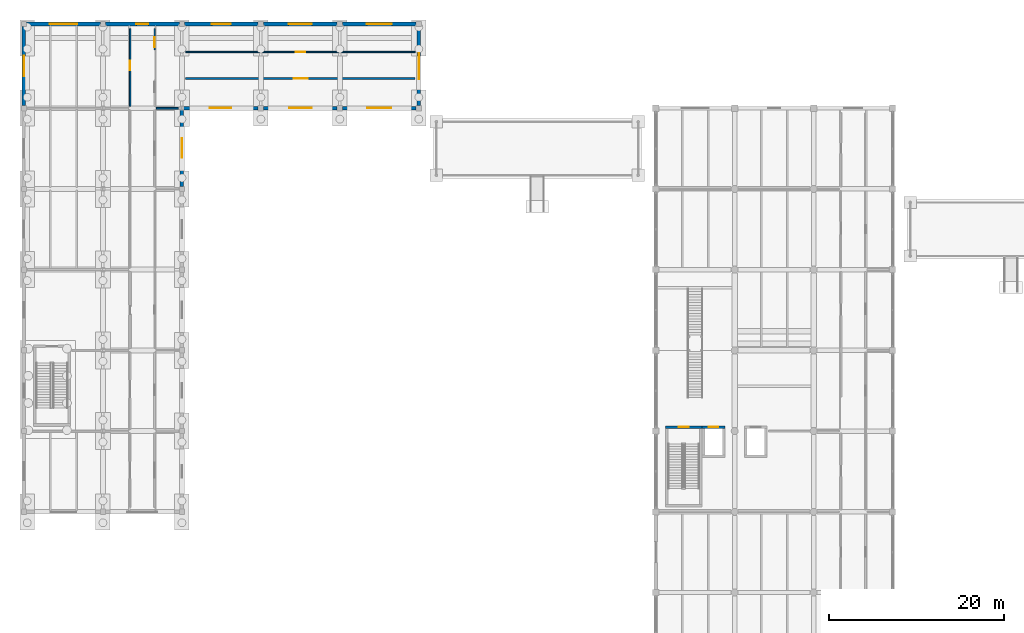
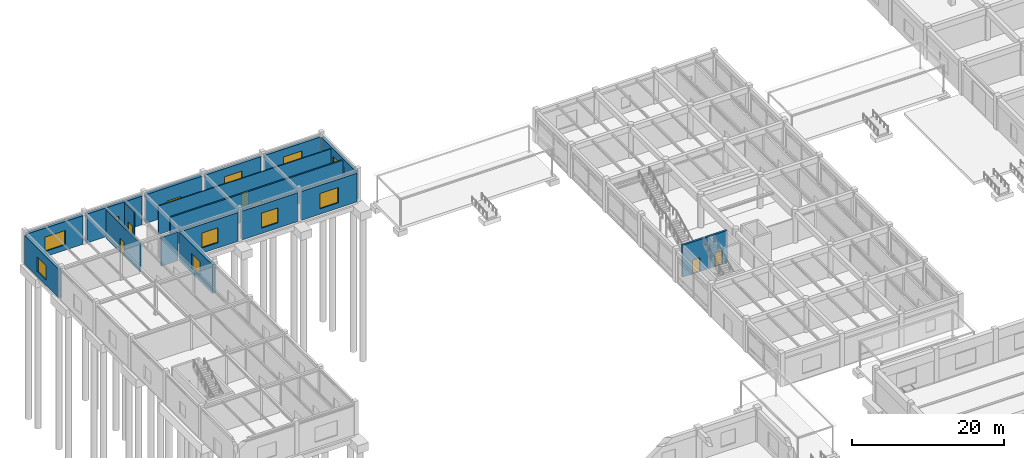
# One storey, part 59 of 76: 18 walls, 10 windows, 7 doors, 17 openings.
"""IFC4 building model written with IfcOpenShell, lengths in metres."""

import ifcopenshell
import ifcopenshell.guid

model = None  # the IFC model being written
_history = None  # IfcOwnerHistory: only IFC2X3 demands one
_inside = {}  # id of a spatial element -> (the spatial element, [elements in it])
_under = {}  # id of a project, library or spatial element -> (it, [spatial elements below it])
_declared = {}  # id of a project -> (the project, [libraries it declares])
_typed = {}  # id of a type object -> (the type object, [elements of that type])
_made_of = {}  # id of a material, layer set ... -> (it, [elements and type objects made of it])


def new_model(schema):
    """Start an empty IFC model of exactly this schema.

    Asked for "IFC4X3", IfcOpenShell would pick the latest addendum, in which some entities
    have other attributes; the version numbers below select the first issue.
    IFC2X3 requires an IfcOwnerHistory on every rooted entity: one is made here for all.
    """
    global model, _history
    if schema == "IFC4X3":
        model = ifcopenshell.file(schema_version=(4, 3, 0, 0))
    else:
        model = ifcopenshell.file(schema=schema)
    _inside.clear()
    _under.clear()
    _declared.clear()
    _typed.clear()
    _made_of.clear()
    _history = None
    if model.schema == "IFC2X3":
        org = make("IfcOrganization", Name="unknown")
        user = make(
            "IfcPersonAndOrganization",
            ThePerson=make("IfcPerson", FamilyName="unknown"),
            TheOrganization=org,
        )
        app = make(
            "IfcApplication",
            ApplicationDeveloper=org,
            Version="unknown",
            ApplicationFullName="unknown",
            ApplicationIdentifier="unknown",
        )
        _history = make(
            "IfcOwnerHistory",
            OwningUser=user,
            OwningApplication=app,
            ChangeAction="ADDED",
            CreationDate=0,
        )
    return model


def make(cls, **values):
    """One entity of the class cls with the attributes given. An attribute that is None is left unset."""
    return model.create_entity(
        cls, **{name: value for name, value in values.items() if value is not None}
    )


def rooted(cls, **values):
    """An entity with a GlobalId (a new one), such as an element, a storey or a relation."""
    return make(cls, GlobalId=ifcopenshell.guid.new(), OwnerHistory=_history, **values)


def si_unit(unit_type, name, prefix=None):
    """IfcSIUnit, for example si_unit("LENGTHUNIT", "METRE", prefix="MILLI")."""
    return make("IfcSIUnit", UnitType=unit_type, Prefix=prefix, Name=name)


def assignment(units):
    """IfcUnitAssignment: the units of a project."""
    return None if units is None else make("IfcUnitAssignment", Units=units)


def point(xyz):
    """IfcCartesianPoint."""
    return None if xyz is None else make("IfcCartesianPoint", Coordinates=xyz)


def direction(xyz):
    """IfcDirection."""
    return None if xyz is None else make("IfcDirection", DirectionRatios=xyz)


def frame(location, z_axis=None, x_axis=None):
    """IfcAxis2Placement3D, a coordinate frame: its origin and axes. An axis left out is left unset."""
    return make(
        "IfcAxis2Placement3D",
        Location=point(location),
        Axis=direction(z_axis),
        RefDirection=direction(x_axis),
    )


def frame_2d(location, x_axis=None):
    """IfcAxis2Placement2D, a coordinate frame in the plane: its origin and x axis."""
    return make(
        "IfcAxis2Placement2D", Location=point(location), RefDirection=direction(x_axis)
    )


def origin():
    """The frame at (0, 0, 0) with its axes left unset."""
    return frame((0.0, 0.0, 0.0))


def place(relative_to, where):
    """IfcLocalPlacement: puts the frame where relative to a parent placement (None: the world)."""
    return make(
        "IfcLocalPlacement", PlacementRelTo=relative_to, RelativePlacement=where
    )


def context(
    kind, dimensions, precision=None, world=None, true_north=None, identifier=None
):
    """IfcGeometricRepresentationContext, for example the 3D "Model" context."""
    return make(
        "IfcGeometricRepresentationContext",
        ContextIdentifier=identifier,
        ContextType=kind,
        CoordinateSpaceDimension=dimensions,
        Precision=precision,
        WorldCoordinateSystem=world,
        TrueNorth=true_north,
    )


def subcontext(parent, identifier, kind, view, scale=None):
    """IfcGeometricRepresentationSubContext, for example "Body" below "Model"."""
    return make(
        "IfcGeometricRepresentationSubContext",
        ContextIdentifier=identifier,
        ContextType=kind,
        ParentContext=parent,
        TargetScale=scale,
        TargetView=view,
    )


def project(units=None, contexts=None):
    """IfcProject with its units and contexts."""
    return rooted(
        "IfcProject",
        Name="project",
        RepresentationContexts=contexts,
        UnitsInContext=assignment(units),
    )


def spatial(cls, under=None, at=None, **own):
    """A site, building, storey or space (cls), placed at a placement, below another one or the project."""
    s = rooted(cls, ObjectPlacement=at, **own)
    if under is not None:
        _under.setdefault(under.id(), (under, []))[1].append(s)
    return s


def profile(cls, at=None, kind="AREA", **sizes):
    """A parametric profile (cls). Its sizes go by their IFC names, for example OverallWidth=200.0."""
    return make(cls, ProfileType=kind, Position=at, **sizes)


def rectangle(**sizes):
    """IfcRectangleProfileDef."""
    return profile("IfcRectangleProfileDef", **sizes)


def extrude(swept, where, along, depth):
    """IfcExtrudedAreaSolid: the profile swept, set in the frame where, extruded along a direction by depth."""
    return make(
        "IfcExtrudedAreaSolid",
        SweptArea=swept,
        Position=where,
        ExtrudedDirection=direction(along),
        Depth=depth,
    )


def shape(context_of_items, identifier, shape_type, items):
    """IfcShapeRepresentation: the items that make up one representation, for example the "Body"."""
    return make(
        "IfcShapeRepresentation",
        ContextOfItems=context_of_items,
        RepresentationIdentifier=identifier,
        RepresentationType=shape_type,
        Items=items,
    )


def material(Name=None, Category=None):
    """IfcMaterial."""
    return make("IfcMaterial", Name=Name, Category=Category)


def layer(
    of_material, thickness, ventilated=None, Name=None, Category=None, Priority=None
):
    """IfcMaterialLayer: one layer of a wall or slab, of a material (None: an air gap)."""
    return make(
        "IfcMaterialLayer",
        Material=of_material,
        LayerThickness=thickness,
        IsVentilated=ventilated,
        Name=Name,
        Category=Category,
        Priority=Priority,
    )


def layer_set(layers, Name=None):
    """IfcMaterialLayerSet."""
    return make("IfcMaterialLayerSet", MaterialLayers=layers, LayerSetName=Name)


def made_of(thing, what):
    """Note that an element or type object is made of a material, layer set ...; save() writes the relation."""
    if what is not None:
        _made_of.setdefault(what.id(), (what, []))[1].append(thing)
    return thing


def type_object(cls, material=None, **own):
    """A type object (cls), such as IfcWallType, which elements share."""
    return made_of(rooted(cls, **own), material)


def element(
    cls,
    number,
    at=None,
    inside=None,
    cuts=None,
    type_object=None,
    material=None,
    context=None,
    identifier="Body",
    shape_type=None,
    held_by="IfcProductDefinitionShape",
    body=None,
    shapes=None,
    **own,
):
    """One element of the class cls, such as IfcWall. Its Tag is "e" and its number.

    at: its placement. inside: the storey or other place that contains it. cuts: it is an
    opening in that element (IfcRelVoidsElement). A single representation is given by context,
    identifier, shape_type and body (its items); several are given by shapes. held_by: the class
    of the entity that holds the representations. save() writes the other relations.
    """
    e = rooted(cls, Tag="e%d" % number, ObjectPlacement=at, **own)
    if body is not None:
        shapes = [shape(context, identifier, shape_type, body)]
    if shapes is not None:
        e.Representation = make(held_by, Representations=shapes)
    if inside is not None:
        _inside.setdefault(inside.id(), (inside, []))[1].append(e)
    if cuts is not None:
        rooted(
            "IfcRelVoidsElement", RelatingBuildingElement=cuts, RelatedOpeningElement=e
        )
    if type_object is not None:
        _typed.setdefault(type_object.id(), (type_object, []))[1].append(e)
    return made_of(e, material)


def fill(opening, filler):
    """IfcRelFillsElement: the door or window that sits in an opening."""
    return rooted(
        "IfcRelFillsElement",
        RelatingOpeningElement=opening,
        RelatedBuildingElement=filler,
    )


def aggregate(whole, parts):
    """IfcRelAggregates: a whole, such as a stair, and the parts it consists of."""
    return rooted("IfcRelAggregates", RelatingObject=whole, RelatedObjects=parts)


def save(model, path):
    """Write the relations noted so far, then the file.

    IfcRelAggregates (storeys below a building ...), IfcRelContainedInSpatialStructure (elements
    in a storey), IfcRelDefinesByType, IfcRelAssociatesMaterial and IfcRelDeclares: one each for
    every whole, place, type object, material and project.
    """
    for whole, parts in _under.values():
        aggregate(whole, parts)
    for where, things in _inside.values():
        rooted(
            "IfcRelContainedInSpatialStructure",
            RelatedElements=things,
            RelatingStructure=where,
        )
    for kind, things in _typed.values():
        rooted("IfcRelDefinesByType", RelatedObjects=things, RelatingType=kind)
    for what, things in _made_of.values():
        rooted("IfcRelAssociatesMaterial", RelatedObjects=things, RelatingMaterial=what)
    for by, libraries in _declared.values():
        rooted("IfcRelDeclares", RelatingContext=by, RelatedDefinitions=libraries)
    model.write(path)


model = new_model("IFC4")

# Units and contexts
model_context = context("Model", 3, precision=1e-05, world=origin(), true_north=direction((0.0, 1.0)))
body_context = subcontext(model_context, "Body", "Model", "MODEL_VIEW")
ifc_project = project(units=[si_unit("LENGTHUNIT", "METRE"), si_unit("AREAUNIT", "SQUARE_METRE"), si_unit("VOLUMEUNIT", "CUBIC_METRE"), si_unit("PLANEANGLEUNIT", "RADIAN"), si_unit("MASSUNIT", "GRAM", prefix="KILO")], contexts=[model_context])

# Site, building, storey
site_placement = place(None, origin())
site = spatial("IfcSite", under=ifc_project, at=site_placement, CompositionType="ELEMENT")
building_placement = place(site_placement, origin())
building = spatial("IfcBuilding", under=site, at=building_placement, Name="Bozkorgan Art Gallery", CompositionType="ELEMENT")
storey_placement = place(building_placement, origin())
storey = spatial("IfcBuildingStorey", under=building, at=storey_placement, Name="L00", CompositionType="ELEMENT", Elevation=0.0)

# Wall, opening, door
ifc_material_1 = material(Name="Concrete C40/50", Category="concrete")
ifc_layer_1 = layer(ifc_material_1, 0.300048828125, Name="Concrete C40/50")
ifc_layer_set_1 = layer_set([ifc_layer_1], Name="Concrete C40/50")
wall_type_1 = type_object("IfcWallType", Name="IWALL-CW-44", PredefinedType="SHEAR", material=ifc_layer_set_1)
wall_1_placement = place(storey_placement, frame((75.10009765625, 66.449951171875, 0.0), z_axis=(0.0, 0.0, 1.0), x_axis=(1.0, 0.0, 0.0)))
wall_1 = element("IfcWall", 1, at=wall_1_placement, inside=storey, type_object=wall_type_1, Name="CORE2 L00 stair core north shear wall", PredefinedType="SHEAR", context=body_context, shape_type="SweptSolid", body=[
    extrude(rectangle(XDim=4.199951171875, YDim=0.300048828125, at=frame_2d((2.10009765625, 0.0))), origin(), (0.0, 0.0, 1.0), 5.1201171875),
])
opening_1_placement = place(wall_1_placement, frame((1.52490234375, 0.0, 0.0)))
opening_1 = element("IfcOpeningElement", 2, at=opening_1_placement, cuts=wall_1, Name="Opening SD-41", PredefinedType="OPENING", context=body_context, shape_type="SweptSolid", body=[
    extrude(rectangle(XDim=1.14990234375, YDim=2.199951171875, at=frame_2d((0.574951171875, 1.10009765625))), frame((0.0, 0.16015625, 0.0), z_axis=(0.0, -1.0, 0.0), x_axis=(1.0, 0.0, 0.0)), (0.0, 0.0, 1.0), 0.320068359375),
])
ifc_material_2 = material(Name="Steel S355J2", Category="steel")
door_type_1 = type_object("IfcDoorType", Name="IDOOR-SD-41", OperationType="NOTDEFINED", PredefinedType="DOOR", material=ifc_material_2)
door_1_placement = place(opening_1_placement, origin())
door_1 = element("IfcDoor", 3, at=door_1_placement, inside=storey, type_object=door_type_1, Name="ST2 L00 Fire Stair Door", OperationType="SINGLE_SWING_RIGHT", OverallHeight=2.199951171875, OverallWidth=1.14990234375, PredefinedType="DOOR", context=body_context, shape_type="SweptSolid", body=[
    extrude(rectangle(XDim=1.14990234375, YDim=2.199951171875, at=frame_2d((0.574951171875, 1.10009765625))), frame((0.0, 0.02490234375, 0.0), z_axis=(0.0, -1.0, 0.0), x_axis=(1.0, 0.0, 0.0)), (0.0, 0.0, 1.0), 0.050048828125),
])
fill(opening_1, door_1)

wall_2_placement = place(storey_placement, frame((79.300048828125, 66.449951171875, 0.0), z_axis=(0.0, 0.0, 1.0), x_axis=(1.0, 0.0, 0.0)))
wall_2 = element("IfcWall", 4, at=wall_2_placement, inside=storey, type_object=wall_type_1, Name="PL2 L00 shaft front shear wall", PredefinedType="SHEAR", context=body_context, shape_type="SweptSolid", body=[
    extrude(rectangle(XDim=2.599853515625, YDim=0.300048828125, at=frame_2d((1.2998046875, 0.0))), origin(), (0.0, 0.0, 1.0), 5.1201171875),
])
opening_2_placement = place(wall_2_placement, frame((0.75, 0.0, 0.0)))
opening_2 = element("IfcOpeningElement", 5, at=opening_2_placement, cuts=wall_2, Name="Opening LD-25", PredefinedType="OPENING", context=body_context, shape_type="SweptSolid", body=[
    extrude(rectangle(XDim=1.10009765625, YDim=2.199951171875, at=frame_2d((0.550048828125, 1.10009765625))), frame((0.0, 0.16015625, 0.0), z_axis=(0.0, -1.0, 0.0), x_axis=(1.0, 0.0, 0.0)), (0.0, 0.0, 1.0), 0.320068359375),
])
door_type_2 = type_object("IfcDoorType", Name="IDOOR-LD-25", OperationType="NOTDEFINED", PredefinedType="DOOR", material=ifc_material_2)
door_2_placement = place(opening_2_placement, origin())
door_2 = element("IfcDoor", 6, at=door_2_placement, inside=storey, type_object=door_type_2, Name="LD-PL2-L00 Lift Landing Door", OperationType="SLIDING_TO_LEFT", OverallHeight=2.199951171875, OverallWidth=1.10009765625, PredefinedType="DOOR", context=body_context, shape_type="SweptSolid", body=[
    extrude(rectangle(XDim=1.10009765625, YDim=2.199951171875, at=frame_2d((0.550048828125, 1.10009765625))), frame((0.0, 0.02490234375, 0.0), z_axis=(0.0, -1.0, 0.0), x_axis=(1.0, 0.0, 0.0)), (0.0, 0.0, 1.0), 0.050048828125),
])
fill(opening_2, door_2)

ifc_material_3 = material(Name="Acoustic Gypsum & Mineral Wool Partition")
ifc_layer_2 = layer(ifc_material_3, 0.22998046875, Name="Acoustic Gypsum & Mineral Wool Partition")
ifc_layer_set_2 = layer_set([ifc_layer_2], Name="Acoustic Gypsum & Mineral Wool Partition")
wall_type_2 = type_object("IfcWallType", Name="IWALL-PR-08", PredefinedType="PARTITIONING", material=ifc_layer_set_2)
wall_3_placement = place(storey_placement, frame((20.419921875, 106.199951171875, 0.0), z_axis=(0.0, 0.0, 1.0), x_axis=(1.0, 0.0, 0.0)))
wall_3 = element("IfcWall", 7, at=wall_3_placement, inside=storey, type_object=wall_type_2, Name="V2 L00 acoustic partition wall 143", PredefinedType="PARTITIONING", context=body_context, shape_type="SweptSolid", body=[
    extrude(rectangle(XDim=26.16015625, YDim=0.22998046875, at=frame_2d((13.080078125, 0.0))), origin(), (0.0, 0.0, 1.0), 4.60498046875),
])
opening_3_placement = place(wall_3_placement, frame((12.330078125, 0.0, 0.0)))
opening_3 = element("IfcOpeningElement", 8, at=opening_3_placement, cuts=wall_3, Name="Opening GD-25", PredefinedType="OPENING", context=body_context, shape_type="SweptSolid", body=[
    extrude(rectangle(XDim=1.580078125, YDim=2.3798828125, at=frame_2d((0.7900390625, 1.18994140625))), frame((0.0, 0.125, 0.0), z_axis=(0.0, -1.0, 0.0), x_axis=(1.0, 0.0, 0.0)), (0.0, 0.0, 1.0), 0.25),
])
ifc_material_4 = material(Name="Oiled European Oak Joinery")
door_type_3 = type_object("IfcDoorType", Name="IDOOR-GD-25", OperationType="NOTDEFINED", PredefinedType="DOOR", material=ifc_material_4)
door_3_placement = place(opening_3_placement, origin())
door_3 = element("IfcDoor", 9, at=door_3_placement, inside=storey, type_object=door_type_3, Name="Ceramic Tilework Gallery Door", OperationType="DOUBLE_DOOR_SINGLE_SWING", OverallHeight=2.3798828125, OverallWidth=1.580078125, PredefinedType="DOOR", context=body_context, shape_type="SweptSolid", body=[
    extrude(rectangle(XDim=1.580078125, YDim=2.3798828125, at=frame_2d((0.7900390625, 1.18994140625))), frame((0.0, 0.02490234375, 0.0), z_axis=(0.0, -1.0, 0.0), x_axis=(1.0, 0.0, 0.0)), (0.0, 0.0, 1.0), 0.050048828125),
])
fill(opening_3, door_3)

ifc_layer_3 = layer(ifc_material_3, 0.169921875, Name="Acoustic Gypsum & Mineral Wool Partition")
ifc_layer_set_3 = layer_set([ifc_layer_3], Name="Acoustic Gypsum & Mineral Wool Partition")
wall_type_3 = type_object("IfcWallType", Name="IWALL-PR-40", PredefinedType="PARTITIONING", material=ifc_layer_set_3)
wall_4_placement = place(storey_placement, frame((14.10009765625, 103.02001953125, 0.0), z_axis=(0.0, 0.0, 1.0), x_axis=(0.0, 1.0, 0.0)))
wall_4 = element("IfcWall", 10, at=wall_4_placement, inside=storey, type_object=wall_type_3, Name="V2 L00 acoustic partition wall 134", PredefinedType="PARTITIONING", context=body_context, shape_type="SweptSolid", body=[
    extrude(rectangle(XDim=8.840087890625, YDim=0.169921875, at=frame_2d((4.419921875, 0.0))), origin(), (0.0, 0.0, 1.0), 4.60498046875),
])
opening_4_placement = place(wall_4_placement, frame((5.201171875, 0.0, 0.0), z_axis=(0.0, 0.0, 1.0), x_axis=(-1.0, 0.0, 0.0)))
opening_4 = element("IfcOpeningElement", 11, at=opening_4_placement, cuts=wall_4, Name="Opening FD-44", PredefinedType="OPENING", context=body_context, shape_type="SweptSolid", body=[
    extrude(rectangle(XDim=1.080078125, YDim=2.239990234375, at=frame_2d((0.5400390625, 1.1201171875))), frame((0.0, 0.094970703125, 0.0), z_axis=(0.0, -1.0, 0.0), x_axis=(1.0, 0.0, 0.0)), (0.0, 0.0, 1.0), 0.18994140625),
])
door_type_4 = type_object("IfcDoorType", Name="IDOOR-FD-44", OperationType="NOTDEFINED", PredefinedType="DOOR", material=ifc_material_4)
door_4_placement = place(opening_4_placement, origin())
door_4 = element("IfcDoor", 12, at=door_4_placement, inside=storey, type_object=door_type_4, Name="Visitor First Aid Room Door", OperationType="SINGLE_SWING_RIGHT", OverallHeight=2.239990234375, OverallWidth=1.080078125, PredefinedType="DOOR", context=body_context, shape_type="SweptSolid", body=[
    extrude(rectangle(XDim=1.080078125, YDim=2.239990234375, at=frame_2d((0.5400390625, 1.1201171875))), frame((0.0, 0.02490234375, 0.0), z_axis=(0.0, -1.0, 0.0), x_axis=(1.0, 0.0, 0.0)), (0.0, 0.0, 1.0), 0.050048828125),
])
fill(opening_4, door_4)

wall_5_placement = place(storey_placement, frame((16.89990234375, 109.419921875, 0.0), z_axis=(0.0, 0.0, 1.0), x_axis=(0.0, 1.0, 0.0)))
wall_5 = element("IfcWall", 13, at=wall_5_placement, inside=storey, type_object=wall_type_3, Name="V2 L00 acoustic partition wall 146", PredefinedType="PARTITIONING", context=body_context, shape_type="SweptSolid", body=[
    extrude(rectangle(XDim=2.440185546875, YDim=0.169921875, at=frame_2d((1.22021484375, 0.0))), origin(), (0.0, 0.0, 1.0), 4.7451171875),
])
opening_5_placement = place(wall_5_placement, frame((0.300048828125, 0.0, 0.0)))
opening_5 = element("IfcOpeningElement", 14, at=opening_5_placement, cuts=wall_5, Name="Opening FD-03", PredefinedType="OPENING", context=body_context, shape_type="SweptSolid", body=[
    extrude(rectangle(XDim=1.159912109375, YDim=2.280029296875, at=frame_2d((0.580078125, 1.14013671875))), frame((0.0, 0.094970703125, 0.0), z_axis=(0.0, -1.0, 0.0), x_axis=(1.0, 0.0, 0.0)), (0.0, 0.0, 1.0), 0.18994140625),
])
door_type_5 = type_object("IfcDoorType", Name="IDOOR-FD-03", OperationType="NOTDEFINED", PredefinedType="DOOR", material=ifc_material_4)
door_5_placement = place(opening_5_placement, origin())
door_5 = element("IfcDoor", 15, at=door_5_placement, inside=storey, type_object=door_type_5, Name="Visitor First Aid Room Door", OperationType="SINGLE_SWING_RIGHT", OverallHeight=2.280029296875, OverallWidth=1.159912109375, PredefinedType="DOOR", context=body_context, shape_type="SweptSolid", body=[
    extrude(rectangle(XDim=1.159912109375, YDim=2.280029296875, at=frame_2d((0.580078125, 1.14013671875))), frame((0.0, 0.02490234375, 0.0), z_axis=(0.0, -1.0, 0.0), x_axis=(1.0, 0.0, 0.0)), (0.0, 0.0, 1.0), 0.050048828125),
])
fill(opening_5, door_5)

ifc_layer_4 = layer(ifc_material_3, 0.1298828125, Name="Acoustic Gypsum & Mineral Wool Partition")
ifc_layer_set_4 = layer_set([ifc_layer_4], Name="Acoustic Gypsum & Mineral Wool Partition")
wall_type_4 = type_object("IfcWallType", Name="IWALL-PR-76", PredefinedType="PARTITIONING", material=ifc_layer_set_4)
wall_6_placement = place(storey_placement, frame((20.419921875, 109.199951171875, 0.0), z_axis=(0.0, 0.0, 1.0), x_axis=(1.0, 0.0, 0.0)))
wall_6 = element("IfcWall", 16, at=wall_6_placement, inside=storey, type_object=wall_type_4, Name="V2 L00 acoustic partition wall 144", PredefinedType="PARTITIONING", context=body_context, shape_type="SweptSolid", body=[
    extrude(rectangle(XDim=26.16015625, YDim=0.1298828125, at=frame_2d((13.080078125, 0.0))), origin(), (0.0, 0.0, 1.0), 4.60498046875),
])
opening_6_placement = place(wall_6_placement, frame((13.66015625, 0.0, 0.0), z_axis=(0.0, 0.0, 1.0), x_axis=(-1.0, 0.0, 0.0)))
opening_6 = element("IfcOpeningElement", 17, at=opening_6_placement, cuts=wall_6, Name="Opening FD-44", PredefinedType="OPENING", context=body_context, shape_type="SweptSolid", body=[
    extrude(rectangle(XDim=1.080078125, YDim=2.239990234375, at=frame_2d((0.5400390625, 1.1201171875))), frame((0.0, 0.074951171875, 0.0), z_axis=(0.0, -1.0, 0.0), x_axis=(1.0, 0.0, 0.0)), (0.0, 0.0, 1.0), 0.14990234375),
])
door_6_placement = place(opening_6_placement, origin())
door_6 = element("IfcDoor", 18, at=door_6_placement, inside=storey, type_object=door_type_4, Name="Garden Espresso Cafe Door", OperationType="SINGLE_SWING_RIGHT", OverallHeight=2.239990234375, OverallWidth=1.080078125, PredefinedType="DOOR", context=body_context, shape_type="SweptSolid", body=[
    extrude(rectangle(XDim=1.080078125, YDim=2.239990234375, at=frame_2d((0.5400390625, 1.1201171875))), frame((0.0, 0.02490234375, 0.0), z_axis=(0.0, -1.0, 0.0), x_axis=(1.0, 0.0, 0.0)), (0.0, 0.0, 1.0), 0.050048828125),
])
fill(opening_6, door_6)

# Wall
ifc_layer_5 = layer(ifc_material_3, 0.2099609375, Name="Acoustic Gypsum & Mineral Wool Partition")
ifc_layer_set_5 = layer_set([ifc_layer_5], Name="Acoustic Gypsum & Mineral Wool Partition")
wall_type_5 = type_object("IfcWallType", Name="IWALL-PW-72", PredefinedType="PARTITIONING", material=ifc_layer_set_5)
wall_7_placement = place(storey_placement, frame((17.10009765625, 102.800048828125, 0.0), z_axis=(0.0, 0.0, 1.0), x_axis=(1.0, 0.0, 0.0)))
element("IfcWall", 19, at=wall_7_placement, inside=storey, type_object=wall_type_5, Name="V2 L00 acoustic partition wall 142", PredefinedType="PARTITIONING", context=body_context, shape_type="SweptSolid", body=[
    extrude(rectangle(XDim=2.5, YDim=0.2099609375, at=frame_2d((1.25, 0.0))), origin(), (0.0, 0.0, 1.0), 4.60498046875),
])

# Wall, opening, door
ifc_material_5 = material(Name="Kordai Rose Granite Ashlar", Category="masonry")
ifc_layer_6 = layer(ifc_material_5, 0.419921875, Name="Kordai Rose Granite Ashlar")
ifc_layer_set_6 = layer_set([ifc_layer_6], Name="Kordai Rose Granite Ashlar")
wall_type_6 = type_object("IfcWallType", Name="WALL-EW-45", PredefinedType="STANDARD", material=ifc_layer_set_6)
wall_8_placement = place(storey_placement, frame((20.300048828125, 112.39990234375, 0.0), z_axis=(0.0, 0.0, 1.0), x_axis=(1.0, 0.0, 0.0)))
wall_8 = element("IfcWall", 20, at=wall_8_placement, inside=storey, type_object=wall_type_6, Name="V2 L00 entrance portal wall (ED04)", PredefinedType="STANDARD", context=body_context, shape_type="SweptSolid", body=[
    extrude(rectangle(XDim=8.39990234375, YDim=0.419921875, at=frame_2d((4.199951171875, 0.0))), origin(), (0.0, 0.0, 1.0), 4.60498046875),
])
opening_7_placement = place(wall_8_placement, frame((3.125, 0.0, 0.0)))
opening_7 = element("IfcOpeningElement", 21, at=opening_7_placement, cuts=wall_8, Name="Opening ED-67", PredefinedType="OPENING", context=body_context, shape_type="SweptSolid", body=[
    extrude(rectangle(XDim=2.14990234375, YDim=2.449951171875, at=frame_2d((1.074951171875, 1.22509765625))), frame((0.0, 0.219970703125, 0.0), z_axis=(0.0, -1.0, 0.0), x_axis=(1.0, 0.0, 0.0)), (0.0, 0.0, 1.0), 0.43994140625),
])
ifc_material_6 = material(Name="Anodised Bronze Aluminium", Category="aluminium")
door_type_6 = type_object("IfcDoorType", Name="DOOR-ED-67", OperationType="NOTDEFINED", PredefinedType="DOOR", material=ifc_material_6)
door_7_placement = place(opening_7_placement, origin())
door_7 = element("IfcDoor", 22, at=door_7_placement, inside=storey, type_object=door_type_6, Name="ED04 Final Exit Portal Door", OperationType="DOUBLE_DOOR_SINGLE_SWING", OverallHeight=2.449951171875, OverallWidth=2.14990234375, PredefinedType="DOOR", context=body_context, shape_type="SweptSolid", body=[
    extrude(rectangle(XDim=2.14990234375, YDim=2.449951171875, at=frame_2d((1.074951171875, 1.22509765625))), frame((0.0, 0.02490234375, 0.0), z_axis=(0.0, -1.0, 0.0), x_axis=(1.0, 0.0, 0.0)), (0.0, 0.0, 1.0), 0.050048828125),
])
fill(opening_7, door_7)

# Wall, opening, window
ifc_layer_7 = layer(ifc_material_5, 0.419921875, Name="Kordai Rose Granite Ashlar")
ifc_layer_set_7 = layer_set([ifc_layer_7], Name="Kordai Rose Granite Ashlar")
wall_type_7 = type_object("IfcWallType", Name="WALL-WG-54", PredefinedType="STANDARD", material=ifc_layer_set_7)
wall_9_placement = place(storey_placement, frame((2.300048828125, 112.39990234375, 0.0), z_axis=(0.0, 0.0, 1.0), x_axis=(1.0, 0.0, 0.0)))
wall_9 = element("IfcWall", 23, at=wall_9_placement, inside=storey, type_object=wall_type_7, Name="V2 L00 exterior facade wall 1N-2", PredefinedType="STANDARD", context=body_context, shape_type="SweptSolid", body=[
    extrude(rectangle(XDim=8.39990234375, YDim=0.419921875, at=frame_2d((4.199951171875, 0.0))), origin(), (0.0, 0.0, 1.0), 4.60498046875),
])
opening_8_placement = place(wall_9_placement, frame((2.64990234375, 0.0, 0.85009765625)))
opening_8 = element("IfcOpeningElement", 24, at=opening_8_placement, cuts=wall_9, Name="Opening WN-71", PredefinedType="OPENING", context=body_context, shape_type="SweptSolid", body=[
    extrude(rectangle(XDim=3.10009765625, YDim=2.300048828125, at=frame_2d((1.550048828125, 1.14990234375))), frame((0.0, 0.219970703125, 0.0), z_axis=(0.0, -1.0, 0.0), x_axis=(1.0, 0.0, 0.0)), (0.0, 0.0, 1.0), 0.43994140625),
])
ifc_material_7 = material(Name="Triple Low-E Laminated Glass", Category="glass")
window_type_1 = type_object("IfcWindowType", Name="WIN-WN-71", PartitioningType="SINGLE_PANEL", PredefinedType="WINDOW", material=ifc_material_7)
window_1_placement = place(opening_8_placement, origin())
window_1 = element("IfcWindow", 25, at=window_1_placement, inside=storey, type_object=window_type_1, Name="V2 L00 gallery window 1N-2", OverallHeight=2.300048828125, OverallWidth=3.10009765625, PartitioningType="SINGLE_PANEL", PredefinedType="WINDOW", context=body_context, shape_type="SweptSolid", body=[
    extrude(rectangle(XDim=3.10009765625, YDim=2.300048828125, at=frame_2d((1.550048828125, 1.14990234375))), frame((0.0, 0.030029296875, 0.0), z_axis=(0.0, -1.0, 0.0), x_axis=(1.0, 0.0, 0.0)), (0.0, 0.0, 1.0), 0.06005859375),
])
fill(opening_8, window_1)

wall_10_placement = place(storey_placement, frame((11.300048828125, 112.39990234375, 0.0), z_axis=(0.0, 0.0, 1.0), x_axis=(1.0, 0.0, 0.0)))
wall_10 = element("IfcWall", 26, at=wall_10_placement, inside=storey, type_object=wall_type_7, Name="V2 L00 exterior facade wall 1N-4", PredefinedType="STANDARD", context=body_context, shape_type="SweptSolid", body=[
    extrude(rectangle(XDim=8.39990234375, YDim=0.419921875, at=frame_2d((4.199951171875, 0.0))), origin(), (0.0, 0.0, 1.0), 4.60498046875),
])
opening_9_placement = place(wall_10_placement, frame((3.52490234375, 0.0, 0.85009765625)))
opening_9 = element("IfcOpeningElement", 27, at=opening_9_placement, cuts=wall_10, Name="Opening WN-63", PredefinedType="OPENING", context=body_context, shape_type="SweptSolid", body=[
    extrude(rectangle(XDim=1.35009765625, YDim=1.75, at=frame_2d((0.675048828125, 0.875))), frame((0.0, 0.219970703125, 0.0), z_axis=(0.0, -1.0, 0.0), x_axis=(1.0, 0.0, 0.0)), (0.0, 0.0, 1.0), 0.43994140625),
])
window_type_2 = type_object("IfcWindowType", Name="WIN-WN-63", PartitioningType="SINGLE_PANEL", PredefinedType="WINDOW", material=ifc_material_7)
window_2_placement = place(opening_9_placement, origin())
window_2 = element("IfcWindow", 28, at=window_2_placement, inside=storey, type_object=window_type_2, Name="V2 L00 gallery window 1N-4", OverallHeight=1.75, OverallWidth=1.35009765625, PartitioningType="SINGLE_PANEL", PredefinedType="WINDOW", context=body_context, shape_type="SweptSolid", body=[
    extrude(rectangle(XDim=1.35009765625, YDim=1.75, at=frame_2d((0.675048828125, 0.875))), frame((0.0, 0.030029296875, 0.0), z_axis=(0.0, -1.0, 0.0), x_axis=(1.0, 0.0, 0.0)), (0.0, 0.0, 1.0), 0.06005859375),
])
fill(opening_9, window_2)

wall_11_placement = place(storey_placement, frame((20.0, 93.89990234375, 0.0), z_axis=(0.0, 0.0, 1.0), x_axis=(0.0, 1.0, 0.0)))
wall_11 = element("IfcWall", 29, at=wall_11_placement, inside=storey, type_object=wall_type_7, Name="V2 L00 exterior facade wall 1E-14", PredefinedType="STANDARD", context=body_context, shape_type="SweptSolid", body=[
    extrude(rectangle(XDim=8.72998046875, YDim=0.419921875, at=frame_2d((4.364990234375, 0.0))), origin(), (0.0, 0.0, 1.0), 4.60498046875),
])
opening_10_placement = place(wall_11_placement, frame((5.489990234375, 0.0, 0.85009765625), z_axis=(0.0, 0.0, 1.0), x_axis=(-1.0, 0.0, 0.0)))
opening_10 = element("IfcOpeningElement", 30, at=opening_10_placement, cuts=wall_11, Name="Opening WN-97", PredefinedType="OPENING", context=body_context, shape_type="SweptSolid", body=[
    extrude(rectangle(XDim=2.25, YDim=2.300048828125, at=frame_2d((1.125, 1.14990234375))), frame((0.0, 0.219970703125, 0.0), z_axis=(0.0, -1.0, 0.0), x_axis=(1.0, 0.0, 0.0)), (0.0, 0.0, 1.0), 0.43994140625),
])
window_type_3 = type_object("IfcWindowType", Name="WIN-WN-97", PartitioningType="SINGLE_PANEL", PredefinedType="WINDOW", material=ifc_material_7)
window_3_placement = place(opening_10_placement, origin())
window_3 = element("IfcWindow", 31, at=window_3_placement, inside=storey, type_object=window_type_3, Name="V2 L00 gallery window 1E-14", OverallHeight=2.300048828125, OverallWidth=2.25, PartitioningType="SINGLE_PANEL", PredefinedType="WINDOW", context=body_context, shape_type="SweptSolid", body=[
    extrude(rectangle(XDim=2.25, YDim=2.300048828125, at=frame_2d((1.125, 1.14990234375))), frame((0.0, 0.030029296875, 0.0), z_axis=(0.0, -1.0, 0.0), x_axis=(1.0, 0.0, 0.0)), (0.0, 0.0, 1.0), 0.06005859375),
])
fill(opening_10, window_3)

wall_12_placement = place(storey_placement, frame((29.300048828125, 112.39990234375, 0.0), z_axis=(0.0, 0.0, 1.0), x_axis=(1.0, 0.0, 0.0)))
wall_12 = element("IfcWall", 32, at=wall_12_placement, inside=storey, type_object=wall_type_7, Name="V2 L00 exterior facade wall 2N-4", PredefinedType="STANDARD", context=body_context, shape_type="SweptSolid", body=[
    extrude(rectangle(XDim=8.39990234375, YDim=0.419921875, at=frame_2d((4.199951171875, 0.0))), origin(), (0.0, 0.0, 1.0), 4.60498046875),
])
opening_11_placement = place(wall_12_placement, frame((2.875, 0.0, 0.85009765625)))
opening_11 = element("IfcOpeningElement", 33, at=opening_11_placement, cuts=wall_12, Name="Opening WN-80", PredefinedType="OPENING", context=body_context, shape_type="SweptSolid", body=[
    extrude(rectangle(XDim=2.64990234375, YDim=2.449951171875, at=frame_2d((1.324951171875, 1.22509765625))), frame((0.0, 0.219970703125, 0.0), z_axis=(0.0, -1.0, 0.0), x_axis=(1.0, 0.0, 0.0)), (0.0, 0.0, 1.0), 0.43994140625),
])
window_type_4 = type_object("IfcWindowType", Name="WIN-WN-80", PartitioningType="SINGLE_PANEL", PredefinedType="WINDOW", material=ifc_material_7)
window_4_placement = place(opening_11_placement, origin())
window_4 = element("IfcWindow", 34, at=window_4_placement, inside=storey, type_object=window_type_4, Name="V2 L00 gallery window 2N-4", OverallHeight=2.449951171875, OverallWidth=2.64990234375, PartitioningType="SINGLE_PANEL", PredefinedType="WINDOW", context=body_context, shape_type="SweptSolid", body=[
    extrude(rectangle(XDim=2.64990234375, YDim=2.449951171875, at=frame_2d((1.324951171875, 1.22509765625))), frame((0.0, 0.030029296875, 0.0), z_axis=(0.0, -1.0, 0.0), x_axis=(1.0, 0.0, 0.0)), (0.0, 0.0, 1.0), 0.06005859375),
])
fill(opening_11, window_4)

wall_13_placement = place(storey_placement, frame((38.300048828125, 112.39990234375, 0.0), z_axis=(0.0, 0.0, 1.0), x_axis=(1.0, 0.0, 0.0)))
wall_13 = element("IfcWall", 35, at=wall_13_placement, inside=storey, type_object=wall_type_7, Name="V2 L00 exterior facade wall 2N-6", PredefinedType="STANDARD", context=body_context, shape_type="SweptSolid", body=[
    extrude(rectangle(XDim=8.39990234375, YDim=0.419921875, at=frame_2d((4.199951171875, 0.0))), origin(), (0.0, 0.0, 1.0), 4.60498046875),
])
opening_12_placement = place(wall_13_placement, frame((2.77490234375, 0.0, 0.85009765625)))
opening_12 = element("IfcOpeningElement", 36, at=opening_12_placement, cuts=wall_13, Name="Opening WN-82", PredefinedType="OPENING", context=body_context, shape_type="SweptSolid", body=[
    extrude(rectangle(XDim=2.85009765625, YDim=2.5, at=frame_2d((1.425048828125, 1.25))), frame((0.0, 0.219970703125, 0.0), z_axis=(0.0, -1.0, 0.0), x_axis=(1.0, 0.0, 0.0)), (0.0, 0.0, 1.0), 0.43994140625),
])
window_type_5 = type_object("IfcWindowType", Name="WIN-WN-82", PartitioningType="SINGLE_PANEL", PredefinedType="WINDOW", material=ifc_material_7)
window_5_placement = place(opening_12_placement, origin())
window_5 = element("IfcWindow", 37, at=window_5_placement, inside=storey, type_object=window_type_5, Name="V2 L00 gallery window 2N-6", OverallHeight=2.5, OverallWidth=2.85009765625, PartitioningType="SINGLE_PANEL", PredefinedType="WINDOW", context=body_context, shape_type="SweptSolid", body=[
    extrude(rectangle(XDim=2.85009765625, YDim=2.5, at=frame_2d((1.425048828125, 1.25))), frame((0.0, 0.030029296875, 0.0), z_axis=(0.0, -1.0, 0.0), x_axis=(1.0, 0.0, 0.0)), (0.0, 0.0, 1.0), 0.06005859375),
])
fill(opening_12, window_5)

ifc_layer_8 = layer(ifc_material_5, 0.39990234375, Name="Kordai Rose Granite Ashlar")
ifc_layer_set_8 = layer_set([ifc_layer_8], Name="Kordai Rose Granite Ashlar")
wall_type_8 = type_object("IfcWallType", Name="WALL-WG-66", PredefinedType="STANDARD", material=ifc_layer_set_8)
wall_14_placement = place(storey_placement, frame((2.0, 103.10009765625, 0.0), z_axis=(0.0, 0.0, 1.0), x_axis=(0.0, 1.0, 0.0)))
wall_14 = element("IfcWall", 38, at=wall_14_placement, inside=storey, type_object=wall_type_8, Name="V2 L00 exterior facade wall 1W-15", PredefinedType="STANDARD", context=body_context, shape_type="SweptSolid", body=[
    extrude(rectangle(XDim=9.0, YDim=0.39990234375, at=frame_2d((4.5, 0.0))), origin(), (0.0, 0.0, 1.0), 4.60498046875),
])
opening_13_placement = place(wall_14_placement, frame((3.324951171875, 0.0, 0.85009765625)))
opening_13 = element("IfcOpeningElement", 39, at=opening_13_placement, cuts=wall_14, Name="Opening WN-47", PredefinedType="OPENING", context=body_context, shape_type="SweptSolid", body=[
    extrude(rectangle(XDim=2.35009765625, YDim=2.35009765625, at=frame_2d((1.175048828125, 1.175048828125))), frame((0.0, 0.2099609375, 0.0), z_axis=(0.0, -1.0, 0.0), x_axis=(1.0, 0.0, 0.0)), (0.0, 0.0, 1.0), 0.419921875),
])
window_type_6 = type_object("IfcWindowType", Name="WIN-WN-47", PartitioningType="SINGLE_PANEL", PredefinedType="WINDOW", material=ifc_material_7)
window_6_placement = place(opening_13_placement, origin())
window_6 = element("IfcWindow", 40, at=window_6_placement, inside=storey, type_object=window_type_6, Name="V2 L00 gallery window 1W-15", OverallHeight=2.35009765625, OverallWidth=2.35009765625, PartitioningType="SINGLE_PANEL", PredefinedType="WINDOW", context=body_context, shape_type="SweptSolid", body=[
    extrude(rectangle(XDim=2.35009765625, YDim=2.35009765625, at=frame_2d((1.175048828125, 1.175048828125))), frame((0.0, 0.030029296875, 0.0), z_axis=(0.0, -1.0, 0.0), x_axis=(1.0, 0.0, 0.0)), (0.0, 0.0, 1.0), 0.06005859375),
])
fill(opening_13, window_6)

wall_15_placement = place(storey_placement, frame((20.14990234375, 102.800048828125, 0.0), z_axis=(0.0, 0.0, 1.0), x_axis=(1.0, 0.0, 0.0)))
wall_15 = element("IfcWall", 41, at=wall_15_placement, inside=storey, type_object=wall_type_8, Name="V2 L00 exterior facade wall 2S-1", PredefinedType="STANDARD", context=body_context, shape_type="SweptSolid", body=[
    extrude(rectangle(XDim=8.550048828125, YDim=0.39990234375, at=frame_2d((4.27490234375, 0.0))), origin(), (0.0, 0.0, 1.0), 4.60498046875),
])
opening_14_placement = place(wall_15_placement, frame((5.5, 0.0, 0.85009765625), z_axis=(0.0, 0.0, 1.0), x_axis=(-1.0, 0.0, 0.0)))
opening_14 = element("IfcOpeningElement", 42, at=opening_14_placement, cuts=wall_15, Name="Opening WN-83", PredefinedType="OPENING", context=body_context, shape_type="SweptSolid", body=[
    extrude(rectangle(XDim=2.449951171875, YDim=2.39990234375, at=frame_2d((1.22509765625, 1.199951171875))), frame((0.0, 0.2099609375, 0.0), z_axis=(0.0, -1.0, 0.0), x_axis=(1.0, 0.0, 0.0)), (0.0, 0.0, 1.0), 0.419921875),
])
window_type_7 = type_object("IfcWindowType", Name="WIN-WN-83", PartitioningType="SINGLE_PANEL", PredefinedType="WINDOW", material=ifc_material_7)
window_7_placement = place(opening_14_placement, origin())
window_7 = element("IfcWindow", 43, at=window_7_placement, inside=storey, type_object=window_type_7, Name="V2 L00 gallery window 2S-1", OverallHeight=2.39990234375, OverallWidth=2.449951171875, PartitioningType="SINGLE_PANEL", PredefinedType="WINDOW", context=body_context, shape_type="SweptSolid", body=[
    extrude(rectangle(XDim=2.449951171875, YDim=2.39990234375, at=frame_2d((1.22509765625, 1.199951171875))), frame((0.0, 0.030029296875, 0.0), z_axis=(0.0, -1.0, 0.0), x_axis=(1.0, 0.0, 0.0)), (0.0, 0.0, 1.0), 0.06005859375),
])
fill(opening_14, window_7)

wall_16_placement = place(storey_placement, frame((29.300048828125, 102.800048828125, 0.0), z_axis=(0.0, 0.0, 1.0), x_axis=(1.0, 0.0, 0.0)))
wall_16 = element("IfcWall", 44, at=wall_16_placement, inside=storey, type_object=wall_type_8, Name="V2 L00 exterior facade wall 2S-3", PredefinedType="STANDARD", context=body_context, shape_type="SweptSolid", body=[
    extrude(rectangle(XDim=8.39990234375, YDim=0.39990234375, at=frame_2d((4.199951171875, 0.0))), origin(), (0.0, 0.0, 1.0), 4.60498046875),
])
opening_15_placement = place(wall_16_placement, frame((5.47509765625, 0.0, 0.85009765625), z_axis=(0.0, 0.0, 1.0), x_axis=(-1.0, 0.0, 0.0)))
opening_15 = element("IfcOpeningElement", 45, at=opening_15_placement, cuts=wall_16, Name="Opening WN-23", PredefinedType="OPENING", context=body_context, shape_type="SweptSolid", body=[
    extrude(rectangle(XDim=2.550048828125, YDim=2.39990234375, at=frame_2d((1.27490234375, 1.199951171875))), frame((0.0, 0.2099609375, 0.0), z_axis=(0.0, -1.0, 0.0), x_axis=(1.0, 0.0, 0.0)), (0.0, 0.0, 1.0), 0.419921875),
])
window_type_8 = type_object("IfcWindowType", Name="WIN-WN-23", PartitioningType="SINGLE_PANEL", PredefinedType="WINDOW", material=ifc_material_7)
window_8_placement = place(opening_15_placement, origin())
window_8 = element("IfcWindow", 46, at=window_8_placement, inside=storey, type_object=window_type_8, Name="V2 L00 gallery window 2S-3", OverallHeight=2.39990234375, OverallWidth=2.550048828125, PartitioningType="SINGLE_PANEL", PredefinedType="WINDOW", context=body_context, shape_type="SweptSolid", body=[
    extrude(rectangle(XDim=2.550048828125, YDim=2.39990234375, at=frame_2d((1.27490234375, 1.199951171875))), frame((0.0, 0.030029296875, 0.0), z_axis=(0.0, -1.0, 0.0), x_axis=(1.0, 0.0, 0.0)), (0.0, 0.0, 1.0), 0.06005859375),
])
fill(opening_15, window_8)

wall_17_placement = place(storey_placement, frame((38.300048828125, 102.800048828125, 0.0), z_axis=(0.0, 0.0, 1.0), x_axis=(1.0, 0.0, 0.0)))
wall_17 = element("IfcWall", 47, at=wall_17_placement, inside=storey, type_object=wall_type_8, Name="V2 L00 exterior facade wall 2S-5", PredefinedType="STANDARD", context=body_context, shape_type="SweptSolid", body=[
    extrude(rectangle(XDim=8.39990234375, YDim=0.39990234375, at=frame_2d((4.199951171875, 0.0))), origin(), (0.0, 0.0, 1.0), 4.60498046875),
])
opening_16_placement = place(wall_17_placement, frame((5.574951171875, 0.0, 0.85009765625), z_axis=(0.0, 0.0, 1.0), x_axis=(-1.0, 0.0, 0.0)))
opening_16 = element("IfcOpeningElement", 48, at=opening_16_placement, cuts=wall_17, Name="Opening WN-02", PredefinedType="OPENING", context=body_context, shape_type="SweptSolid", body=[
    extrude(rectangle(XDim=2.75, YDim=2.449951171875, at=frame_2d((1.375, 1.22509765625))), frame((0.0, 0.2099609375, 0.0), z_axis=(0.0, -1.0, 0.0), x_axis=(1.0, 0.0, 0.0)), (0.0, 0.0, 1.0), 0.419921875),
])
window_type_9 = type_object("IfcWindowType", Name="WIN-WN-02", PartitioningType="SINGLE_PANEL", PredefinedType="WINDOW", material=ifc_material_7)
window_9_placement = place(opening_16_placement, origin())
window_9 = element("IfcWindow", 49, at=window_9_placement, inside=storey, type_object=window_type_9, Name="V2 L00 gallery window 2S-5", OverallHeight=2.449951171875, OverallWidth=2.75, PartitioningType="SINGLE_PANEL", PredefinedType="WINDOW", context=body_context, shape_type="SweptSolid", body=[
    extrude(rectangle(XDim=2.75, YDim=2.449951171875, at=frame_2d((1.375, 1.22509765625))), frame((0.0, 0.030029296875, 0.0), z_axis=(0.0, -1.0, 0.0), x_axis=(1.0, 0.0, 0.0)), (0.0, 0.0, 1.0), 0.06005859375),
])
fill(opening_16, window_9)

wall_18_placement = place(storey_placement, frame((47.0, 103.10009765625, 0.0), z_axis=(0.0, 0.0, 1.0), x_axis=(0.0, 1.0, 0.0)))
wall_18 = element("IfcWall", 50, at=wall_18_placement, inside=storey, type_object=wall_type_8, Name="V2 L00 exterior facade wall 2E-7", PredefinedType="STANDARD", context=body_context, shape_type="SweptSolid", body=[
    extrude(rectangle(XDim=9.0, YDim=0.39990234375, at=frame_2d((4.5, 0.0))), origin(), (0.0, 0.0, 1.0), 4.60498046875),
])
opening_17_placement = place(wall_18_placement, frame((5.974853515625, 0.0, 0.85009765625), z_axis=(0.0, 0.0, 1.0), x_axis=(-1.0, 0.0, 0.0)))
opening_17 = element("IfcOpeningElement", 51, at=opening_17_placement, cuts=wall_18, Name="Opening WN-40", PredefinedType="OPENING", context=body_context, shape_type="SweptSolid", body=[
    extrude(rectangle(XDim=2.949951171875, YDim=2.5, at=frame_2d((1.47509765625, 1.25))), frame((0.0, 0.2099609375, 0.0), z_axis=(0.0, -1.0, 0.0), x_axis=(1.0, 0.0, 0.0)), (0.0, 0.0, 1.0), 0.419921875),
])
window_type_10 = type_object("IfcWindowType", Name="WIN-WN-40", PartitioningType="SINGLE_PANEL", PredefinedType="WINDOW", material=ifc_material_7)
window_10_placement = place(opening_17_placement, origin())
window_10 = element("IfcWindow", 52, at=window_10_placement, inside=storey, type_object=window_type_10, Name="V2 L00 gallery window 2E-7", OverallHeight=2.5, OverallWidth=2.949951171875, PartitioningType="SINGLE_PANEL", PredefinedType="WINDOW", context=body_context, shape_type="SweptSolid", body=[
    extrude(rectangle(XDim=2.949951171875, YDim=2.5, at=frame_2d((1.47509765625, 1.25))), frame((0.0, 0.030029296875, 0.0), z_axis=(0.0, -1.0, 0.0), x_axis=(1.0, 0.0, 0.0)), (0.0, 0.0, 1.0), 0.06005859375),
])
fill(opening_17, window_10)

save(model, "model.ifc")
